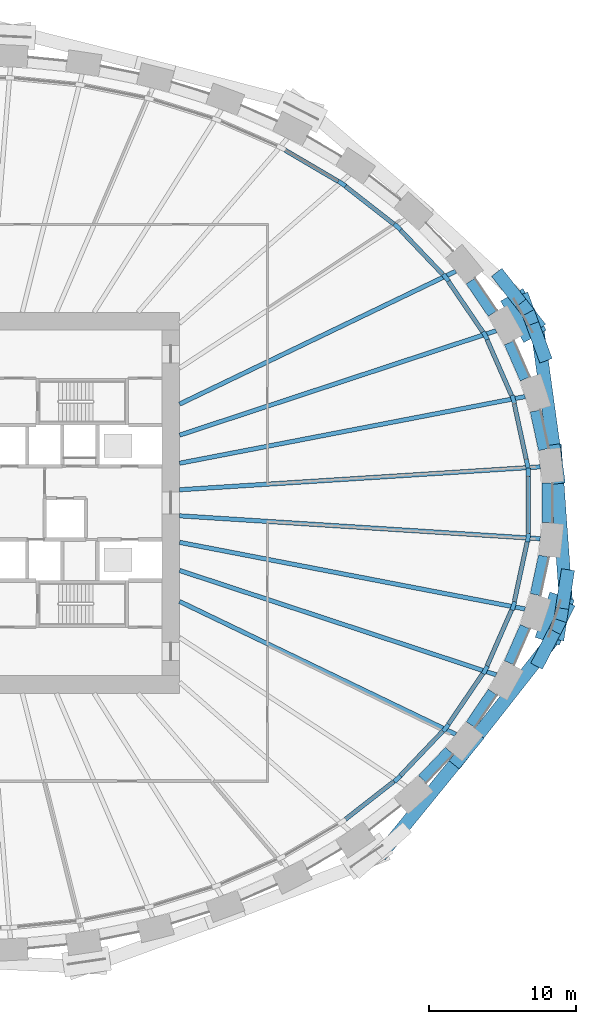
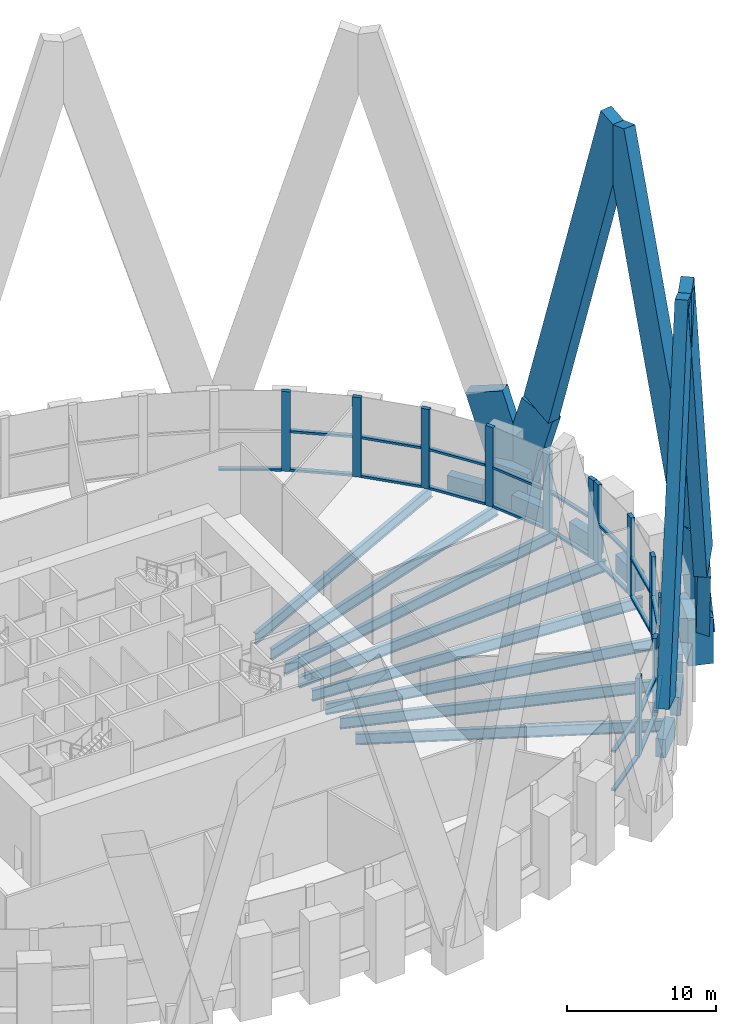
# One storey, part 5 of 17: 45 members, 16 beams, 2 elements without a shape of their own.
"""IFC4 building model written with IfcOpenShell, lengths in metres."""

from ifc_helpers import new_model, si_unit, direction, frame, origin, origin_2d, place, context, subcontext, project, spatial, rectangle, i_section, extrude, source, transform, mapped, material, material_profile, profile_set, type_object, element, aggregate, save


model = new_model("IFC4")

# Units and contexts
model_context = context("Model", 3, precision=1e-05, world=origin(), true_north=direction((0.0, 1.0)))
body_context = subcontext(model_context, "Body", "Model", "MODEL_VIEW")
ifc_project = project(units=[si_unit("LENGTHUNIT", "METRE"), si_unit("AREAUNIT", "SQUARE_METRE"), si_unit("VOLUMEUNIT", "CUBIC_METRE"), si_unit("PLANEANGLEUNIT", "RADIAN"), si_unit("MASSUNIT", "GRAM", prefix="KILO")], contexts=[model_context])

# Site, building, storey
site_placement = place(None, origin())
site = spatial("IfcSite", under=ifc_project, at=site_placement, CompositionType="ELEMENT")
building_placement = place(site_placement, origin())
building = spatial("IfcBuilding", under=site, at=building_placement, Name="Embergate Tower", CompositionType="ELEMENT")
storey_placement = place(building_placement, frame((0.0, 0.0, 125.0)))
storey = spatial("IfcBuildingStorey", under=building, at=storey_placement, Name="L27", CompositionType="ELEMENT", Elevation=125.0)

# Beams
ifc_material_1 = material(Name="Concrete C70", Category="concrete")
ifc_material_profile_1 = material_profile(ifc_material_1, rectangle(XDim=0.699951171875, YDim=1.5, at=origin_2d()), Name="RC 700x1500")
ifc_profile_set_1 = profile_set([ifc_material_profile_1], Name="Concrete C70")
beam_type_1 = type_object("IfcBeamType", Name="Spandrel beam RC 700x1500 C70", PredefinedType="BEAM", material=ifc_profile_set_1)
shared_shape_1 = source(origin(), body_context, "Body", "SweptSolid", [
    extrude(rectangle(XDim=0.699951171875, YDim=1.5, at=origin_2d()), origin(), (0.0, 0.0, 1.0), 2.6923828125),
])
for number, where, z_axis, x_axis, name in (
    (1, (38.843017578125, 3.634033203125, 0.0), (-0.210637397384, 0.977564262247, 0.0), (-0.977564262247, -0.210637397384, 0.0), "SPN-L27-00"),
    (2, (38.27587890625, -6.26611328125, 0.0), (0.210637397384, 0.977564262247, 0.0), (-0.977564262247, 0.210637397384, 0.0), "SPN-L27-42"),
):
    element("IfcBeam", number, at=place(storey_placement, frame(where, z_axis=z_axis, x_axis=x_axis)), inside=storey, type_object=beam_type_1, Name=name, PredefinedType="BEAM", context=body_context, shape_type="MappedRepresentation", body=[
        mapped(shared_shape_1, transform((0.0, 0.0, 0.0))),
    ])
shared_shape_2 = source(origin(), body_context, "Body", "SweptSolid", [
    extrude(rectangle(XDim=0.699951171875, YDim=1.5, at=origin_2d()), origin(), (0.0, 0.0, 1.0), 2.689208984375),
])
for number, where, z_axis, x_axis, name in (
    (3, (37.569091796875, 8.4541015625, 0.0), (-0.401618751738, 0.915806954687, 0.0), (-0.915806954687, -0.401618751738, 0.0), "SPN-L27-01"),
    (4, (36.489013671875, -10.9169921875, 0.0), (0.401618751738, 0.915806954687, 0.0), (-0.915806954687, 0.401618751738, 0.0), "SPN-L27-41"),
):
    element("IfcBeam", number, at=place(storey_placement, frame(where, z_axis=z_axis, x_axis=x_axis)), inside=storey, type_object=beam_type_1, Name=name, PredefinedType="BEAM", context=body_context, shape_type="MappedRepresentation", body=[
        mapped(shared_shape_2, transform((0.0, 0.0, 0.0))),
    ])
shared_shape_3 = source(origin(), body_context, "Body", "SweptSolid", [
    extrude(rectangle(XDim=0.699951171875, YDim=1.5, at=origin_2d()), origin(), (0.0, 0.0, 1.0), 2.678466796875),
])
for number, where, z_axis, x_axis, name in (
    (5, (35.35791015625, 12.9189453125, 0.0), (-0.562207798454, 0.826996004438, 0.0), (-0.826996004438, -0.562207798454, 0.0), "SPN-L27-02"),
    (6, (33.85205078125, -15.134033203125, 0.0), (0.562207798454, 0.826996004438, 0.0), (-0.826996004438, 0.562207798454, 0.0), "SPN-L27-40"),
):
    element("IfcBeam", number, at=place(storey_placement, frame(where, z_axis=z_axis, x_axis=x_axis)), inside=storey, type_object=beam_type_1, Name=name, PredefinedType="BEAM", context=body_context, shape_type="MappedRepresentation", body=[
        mapped(shared_shape_3, transform((0.0, 0.0, 0.0))),
    ])
shared_shape_4 = source(origin(), body_context, "Body", "SweptSolid", [
    extrude(rectangle(XDim=0.699951171875, YDim=1.5, at=origin_2d()), origin(), (0.0, 0.0, 1.0), 2.673583984375),
])
beam_1_placement = place(storey_placement, frame((30.56103515625, -18.85791015625, 0.0), z_axis=(0.690104255292, 0.72370996734, 0.0), x_axis=(-0.72370996734, 0.690104255292, 0.0)))
element("IfcBeam", 7, at=beam_1_placement, inside=storey, type_object=beam_type_1, Name="SPN-L27-39", PredefinedType="BEAM", context=body_context, shape_type="MappedRepresentation", body=[
    mapped(shared_shape_4, transform((0.0, 0.0, 0.0))),
])
shared_shape_5 = source(origin(), body_context, "Body", "SweptSolid", [
    extrude(rectangle(XDim=0.699951171875, YDim=1.5, at=origin_2d()), origin(), (0.0, 0.0, 1.0), 2.69384765625),
])
beam_2_placement = place(storey_placement, frame((39.0859375, -1.346923828125, 0.0), z_axis=(0.0, 1.0, 0.0), x_axis=(-1.0, 0.0, 0.0)))
element("IfcBeam", 8, at=beam_2_placement, inside=storey, type_object=beam_type_1, Name="SPN-L27-43", PredefinedType="BEAM", context=body_context, shape_type="MappedRepresentation", body=[
    mapped(shared_shape_5, transform((0.0, 0.0, 0.0))),
])
ifc_material_2 = material(Name="Steel Q355B", Category="steel")
ifc_material_profile_2 = material_profile(ifc_material_2, i_section(OverallWidth=0.300048828125, OverallDepth=0.89990234375, WebThickness=0.01611328125, FlangeThickness=0.028076171875, FilletRadius=0.028076171875, at=origin_2d()), Name="HN 900x300x16x28")
ifc_profile_set_2 = profile_set([ifc_material_profile_2], Name="Steel Q355 grade B")
beam_type_2 = type_object("IfcBeamType", Name="Radial girder HN 900x300x16x28", PredefinedType="BEAM", material=ifc_profile_set_2)
shared_shape_6 = source(origin(), body_context, "Body", "SweptSolid", [
    extrude(i_section(OverallWidth=0.300048828125, OverallDepth=0.89990234375, WebThickness=0.01611328125, FlangeThickness=0.028076171875, FilletRadius=0.028076171875, at=origin_2d()), origin(), (0.0, 0.0, 1.0), 24.66552734375),
])
for number, where, z_axis, x_axis, name in (
    (9, (38.615966796875, 2.452880859375, -0.75), (-0.997987769209, -0.063406722897, 0.0), (0.063406722897, -0.997987769209, 0.0), "GIR-L27-00"),
    (10, (38.615966796875, -2.452880859375, -0.75), (-0.997987769209, 0.063406722897, 0.0), (-0.063406722897, -0.997987769209, 0.0), "GIR-L27-43"),
):
    element("IfcBeam", number, at=place(storey_placement, frame(where, z_axis=z_axis, x_axis=x_axis)), inside=storey, type_object=beam_type_2, Name=name, PredefinedType="BEAM", context=body_context, shape_type="MappedRepresentation", body=[
        mapped(shared_shape_6, transform((0.0, 0.0, 0.0))),
    ])
shared_shape_7 = source(origin(), body_context, "Body", "SweptSolid", [
    extrude(i_section(OverallWidth=0.300048828125, OverallDepth=0.89990234375, WebThickness=0.01611328125, FlangeThickness=0.028076171875, FilletRadius=0.028076171875, at=origin_2d()), origin(), (0.0, 0.0, 1.0), 24.018798828125),
])
for number, where, z_axis, x_axis, name in (
    (11, (37.583984375, 7.25, -0.75), (-0.981893025148, -0.18943623509, 0.0), (0.18943623509, -0.981893025148, 0.0), "GIR-L27-01"),
    (12, (37.583984375, -7.25, -0.75), (-0.981893025148, 0.18943623509, 0.0), (-0.18943623509, -0.981893025148, 0.0), "GIR-L27-42"),
):
    element("IfcBeam", number, at=place(storey_placement, frame(where, z_axis=z_axis, x_axis=x_axis)), inside=storey, type_object=beam_type_2, Name=name, PredefinedType="BEAM", context=body_context, shape_type="MappedRepresentation", body=[
        mapped(shared_shape_7, transform((0.0, 0.0, 0.0))),
    ])
shared_shape_8 = source(origin(), body_context, "Body", "SweptSolid", [
    extrude(i_section(OverallWidth=0.300048828125, OverallDepth=0.89990234375, WebThickness=0.01611328125, FlangeThickness=0.028076171875, FilletRadius=0.028076171875, at=origin_2d()), origin(), (0.0, 0.0, 1.0), 22.758056640625),
])
for number, where, z_axis, x_axis, name in (
    (13, (35.613037109375, 11.7451171875, -0.75), (-0.949682619366, -0.313213860603, 0.0), (0.313213860603, -0.949682619366, 0.0), "GIR-L27-02"),
    (14, (35.613037109375, -11.7451171875, -0.75), (-0.949682619366, 0.313213860603, 0.0), (-0.313213860603, -0.949682619366, 0.0), "GIR-L27-41"),
):
    element("IfcBeam", number, at=place(storey_placement, frame(where, z_axis=z_axis, x_axis=x_axis)), inside=storey, type_object=beam_type_2, Name=name, PredefinedType="BEAM", context=body_context, shape_type="MappedRepresentation", body=[
        mapped(shared_shape_8, transform((0.0, 0.0, 0.0))),
    ])
shared_shape_9 = source(origin(), body_context, "Body", "SweptSolid", [
    extrude(i_section(OverallWidth=0.300048828125, OverallDepth=0.89990234375, WebThickness=0.01611328125, FlangeThickness=0.028076171875, FilletRadius=0.028076171875, at=origin_2d()), origin(), (0.0, 0.0, 1.0), 20.919921875),
])
for number, where, z_axis, x_axis, name in (
    (15, (32.85205078125, 15.803955078125, -0.75), (-0.901152314796, -0.433502601536, 0.0), (0.433502601536, -0.901152314796, 0.0), "GIR-L27-03"),
    (16, (32.85205078125, -15.803955078125, -0.75), (-0.901152314796, 0.433502601536, 0.0), (-0.433502601536, -0.901152314796, 0.0), "GIR-L27-40"),
):
    element("IfcBeam", number, at=place(storey_placement, frame(where, z_axis=z_axis, x_axis=x_axis)), inside=storey, type_object=beam_type_2, Name=name, PredefinedType="BEAM", context=body_context, shape_type="MappedRepresentation", body=[
        mapped(shared_shape_9, transform((0.0, 0.0, 0.0))),
    ])

# Members
ifc_material_profile_3 = material_profile(ifc_material_1, rectangle(XDim=1.75, YDim=3.25, at=origin_2d()), Name="RC 1750x3250")
ifc_profile_set_3 = profile_set([ifc_material_profile_3], Name="Concrete C70")
member_type_1 = type_object("IfcMemberType", Name="Lattice node block RC 1750x3250", PredefinedType="POST", material=ifc_profile_set_3)
shared_shape_10 = source(origin(), body_context, "Body", "SweptSolid", [
    extrude(rectangle(XDim=1.75, YDim=3.25, at=origin_2d()), origin(), (0.0, 0.0, 1.0), 3.75),
])
for number, where, z_axis, x_axis, name in (
    (17, (37.468994140625, 12.779052734375, -1.875), (0.0, 0.0, 1.0), (0.873491969053, 0.486838556403, 0.0), "NOD-L27-02"),
    (18, (39.60498046875, -7.908935546875, -1.875), (0.0, 0.0, 1.0), (0.950754033697, -0.309946394413, 0.0), "NOD-L27-42"),
):
    element("IfcMember", number, at=place(storey_placement, frame(where, z_axis=z_axis, x_axis=x_axis)), inside=storey, type_object=member_type_1, Name=name, PredefinedType="POST", context=body_context, shape_type="MappedRepresentation", body=[
        mapped(shared_shape_10, transform((0.0, 0.0, 0.0))),
    ])
ifc_material_profile_4 = material_profile(ifc_material_1, rectangle(XDim=0.89990234375, YDim=2.800048828125, at=origin_2d()), Name="RC 900x2800")
ifc_profile_set_4 = profile_set([ifc_material_profile_4], Name="Concrete C70")
member_type_2 = type_object("IfcMemberType", Name="Lattice diagonal terracotta-faced RC 900x2800", PredefinedType="BRACE", material=ifc_profile_set_4)
shared_shape_11 = source(origin(), body_context, "Body", "SweptSolid", [
    extrude(rectangle(XDim=0.89990234375, YDim=2.800048828125, at=origin_2d()), origin(), (0.0, 0.0, 1.0), 7.323486328125),
])
member_1_placement = place(storey_placement, frame((37.806884765625, 12.968017578125, 0.0), z_axis=(0.101477457902, -0.275829332025, 0.955834977981), x_axis=(0.938501816776, 0.345274296624, 0.0)))
element("IfcMember", 19, at=member_1_placement, inside=storey, type_object=member_type_2, Name="BRC-L27-02-00-S00", PredefinedType="BRACE", context=body_context, shape_type="MappedRepresentation", body=[
    mapped(shared_shape_11, transform((0.0, 0.0, 0.0))),
])
shared_shape_12 = source(origin(), body_context, "Body", "SweptSolid", [
    extrude(rectangle(XDim=0.89990234375, YDim=2.800048828125, at=origin_2d()), origin(), (0.0, 0.0, 1.0), 29.134033203125),
])
member_2_placement = place(storey_placement, frame((38.550048828125, 10.947998046875, 7.0), z_axis=(0.039435725058, -0.28526794569, 0.957636164078), x_axis=(0.990579523484, 0.136938700356, 0.0)))
element("IfcMember", 20, at=member_2_placement, inside=storey, type_object=member_type_2, Name="BRC-L27-02-00-S01", PredefinedType="BRACE", context=body_context, shape_type="MappedRepresentation", body=[
    mapped(shared_shape_12, transform((0.0, 0.0, 0.0))),
])
shared_shape_13 = source(origin(), body_context, "Body", "SweptSolid", [
    extrude(rectangle(XDim=0.89990234375, YDim=2.800048828125, at=origin_2d()), origin(), (0.0, 0.0, 1.0), 7.32861328125),
])
for number, where, z_axis, x_axis, name in (
    (21, (37.806884765625, 12.968017578125, 0.0), (-0.182290417254, 0.233326403955, 0.955159145376), (-0.788017550775, -0.615652775248, 0.0), "BRC-L27-02-04-S00"),
    (22, (39.98388671875, -8.031982421875, 0.0), (0.044773051847, 0.292690501138, 0.955158439408), (-0.988501403917, 0.151211687556, 0.0), "BRC-L27-42-00-S00"),
):
    element("IfcMember", number, at=place(storey_placement, frame(where, z_axis=z_axis, x_axis=x_axis)), inside=storey, type_object=member_type_2, Name=name, PredefinedType="BRACE", context=body_context, shape_type="MappedRepresentation", body=[
        mapped(shared_shape_13, transform((0.0, 0.0, 0.0))),
    ])
shared_shape_14 = source(origin(), body_context, "Body", "SweptSolid", [
    extrude(rectangle(XDim=0.89990234375, YDim=2.800048828125, at=origin_2d()), origin(), (0.0, 0.0, 1.0), 29.024169921875),
])
member_3_placement = place(storey_placement, frame((28.5380859375, -23.0439453125, 7.0), z_axis=(0.173985919265, 0.213781286894, 0.961262951159), x_axis=(-0.775601265893, 0.631223158911, 0.0)))
element("IfcMember", 23, at=member_3_placement, inside=storey, type_object=member_type_2, Name="BRC-L27-38-40-S01", PredefinedType="BRACE", context=body_context, shape_type="MappedRepresentation", body=[
    mapped(shared_shape_14, transform((0.0, 0.0, 0.0))),
])
shared_shape_15 = source(origin(), body_context, "Body", "SweptSolid", [
    extrude(rectangle(XDim=0.89990234375, YDim=2.800048828125, at=origin_2d()), origin(), (0.0, 0.0, 1.0), 29.179443359375),
])
member_4_placement = place(storey_placement, frame((40.31201171875, -5.886962890625, 7.0), z_axis=(-0.021009239545, 0.292121302061, 0.95615048854), x_axis=(-0.997423777145, -0.07173429296, 0.0)))
element("IfcMember", 24, at=member_4_placement, inside=storey, type_object=member_type_2, Name="BRC-L27-42-00-S01", PredefinedType="BRACE", context=body_context, shape_type="MappedRepresentation", body=[
    mapped(shared_shape_15, transform((0.0, 0.0, 0.0))),
])
shared_shape_16 = source(origin(), body_context, "Body", "SweptSolid", [
    extrude(rectangle(XDim=0.89990234375, YDim=2.800048828125, at=origin_2d()), origin(), (0.0, 0.0, 1.0), 7.331298828125),
])
member_5_placement = place(storey_placement, frame((39.98388671875, -8.031982421875, 0.0), z_axis=(-0.136667354599, -0.263943823722, 0.954806625504), x_axis=(0.888018917367, -0.459806918606, 0.0)))
element("IfcMember", 25, at=member_5_placement, inside=storey, type_object=member_type_2, Name="BRC-L27-42-40-S00", PredefinedType="BRACE", context=body_context, shape_type="MappedRepresentation", body=[
    mapped(shared_shape_16, transform((0.0, 0.0, 0.0))),
])
shared_shape_17 = source(origin(), body_context, "Body", "SweptSolid", [
    extrude(rectangle(XDim=0.89990234375, YDim=2.800048828125, at=origin_2d()), origin(), (0.0, 0.0, 1.0), 29.235595703125),
])
member_6_placement = place(storey_placement, frame((38.98193359375, -9.967041015625, 7.0), z_axis=(-0.184501986138, -0.235057567928, 0.954309675562), x_axis=(0.786620800626, -0.61743640646, 0.0)))
element("IfcMember", 26, at=member_6_placement, inside=storey, type_object=member_type_2, Name="BRC-L27-42-40-S01", PredefinedType="BRACE", context=body_context, shape_type="MappedRepresentation", body=[
    mapped(shared_shape_17, transform((0.0, 0.0, 0.0))),
])

# Curtain wall, members
ifc_material_3 = material(Name="Aluminium and glass", Category="aluminium")
curtain_wall_type = type_object("IfcCurtainWallType", Name="Sky lobby high glazing", PredefinedType="NOTDEFINED", material=ifc_material_3)
curtain_wall_1_placement = place(storey_placement, origin())
curtain_wall_1 = element("IfcCurtainWall", 27, at=curtain_wall_1_placement, inside=storey, type_object=curtain_wall_type, Name="Sky lobby high glazing run 1", ObjectType="SKY LOBBY HIGH GLAZING", PredefinedType="USERDEFINED")
ifc_material_4 = material(Name="Aluminium, thermally broken", Category="aluminium")
ifc_material_profile_5 = material_profile(ifc_material_4, rectangle(XDim=0.300048828125, YDim=0.60009765625, at=origin_2d()), Name="AL 600x300")
ifc_profile_set_5 = profile_set([ifc_material_profile_5], Name="Aluminium, thermally broken")
member_type_3 = type_object("IfcMemberType", Name="Sky lobby mullion", PredefinedType="MULLION", material=ifc_profile_set_5)
shared_shape_18 = source(origin(), body_context, "Body", "SweptSolid", [
    extrude(rectangle(XDim=0.300048828125, YDim=0.60009765625, at=origin_2d()), origin(), (0.0, 0.0, 1.0), 6.5),
])
member_7_placement = place(storey_placement, frame((37.725341796875, 2.674072265625, 0.0), z_axis=(0.0, 0.0, 1.0), x_axis=(-0.977614996305, -0.210401803698, 0.0)))
member_7 = element("IfcMember", 28, at=member_7_placement, type_object=member_type_3, Name="CW mullion 1", PredefinedType="MULLION", context=body_context, shape_type="MappedRepresentation", body=[
    mapped(shared_shape_18, transform((0.0, 0.0, 0.0))),
])
member_8_placement = place(storey_placement, frame((36.785888671875, 7.0390625, 0.0), z_axis=(0.0, 0.0, 1.0), x_axis=(-0.9514940392, -0.307667179542, 0.0)))
member_8 = element("IfcMember", 29, at=member_8_placement, type_object=member_type_3, Name="CW mullion 2", PredefinedType="MULLION", context=body_context, shape_type="MappedRepresentation", body=[
    mapped(shared_shape_18, transform((0.0, 0.0, 0.0))),
])
member_9_placement = place(storey_placement, frame((34.868896484375, 11.40966796875, 0.0), z_axis=(0.0, 0.0, 1.0), x_axis=(-0.874995136163, -0.484131709032, 0.0)))
member_9 = element("IfcMember", 30, at=member_9_placement, type_object=member_type_3, Name="CW mullion 3", PredefinedType="MULLION", context=body_context, shape_type="MappedRepresentation", body=[
    mapped(shared_shape_18, transform((0.0, 0.0, 0.0))),
])
member_10_placement = place(storey_placement, frame((32.179443359375, 15.364501953125, 0.0), z_axis=(0.0, 0.0, 1.0), x_axis=(-0.777863789852, -0.628432911643, 0.0)))
member_10 = element("IfcMember", 31, at=member_10_placement, type_object=member_type_3, Name="CW mullion 4", PredefinedType="MULLION", context=body_context, shape_type="MappedRepresentation", body=[
    mapped(shared_shape_18, transform((0.0, 0.0, 0.0))),
])
member_11_placement = place(storey_placement, frame((28.871826171875, 18.832763671875, 0.0), z_axis=(0.0, 0.0, 1.0), x_axis=(-0.671218771544, -0.741259307346, 0.0)))
member_11 = element("IfcMember", 32, at=member_11_placement, type_object=member_type_3, Name="CW mullion 5", PredefinedType="MULLION", context=body_context, shape_type="MappedRepresentation", body=[
    mapped(shared_shape_18, transform((0.0, 0.0, 0.0))),
])
member_12_placement = place(storey_placement, frame((25.087158203125, 21.78662109375, 0.0), z_axis=(0.0, 0.0, 1.0), x_axis=(-0.562208958301, -0.826995215951, 0.0)))
member_12 = element("IfcMember", 33, at=member_12_placement, type_object=member_type_3, Name="CW mullion 6", PredefinedType="MULLION", context=body_context, shape_type="MappedRepresentation", body=[
    mapped(shared_shape_18, transform((0.0, 0.0, 0.0))),
])

curtain_wall_2_placement = place(storey_placement, origin())
curtain_wall_2 = element("IfcCurtainWall", 34, at=curtain_wall_2_placement, inside=storey, type_object=curtain_wall_type, Name="Sky lobby high glazing run 4", ObjectType="SKY LOBBY HIGH GLAZING", PredefinedType="USERDEFINED")
member_13_placement = place(storey_placement, frame((28.871826171875, -18.832763671875, 0.0), z_axis=(0.0, 0.0, 1.0), x_axis=(-0.671218771544, 0.741259307346, 0.0)))
member_13 = element("IfcMember", 35, at=member_13_placement, type_object=member_type_3, Name="CW mullion 7", PredefinedType="MULLION", context=body_context, shape_type="MappedRepresentation", body=[
    mapped(shared_shape_18, transform((0.0, 0.0, 0.0))),
])
member_14_placement = place(storey_placement, frame((32.179443359375, -15.364501953125, 0.0), z_axis=(0.0, 0.0, 1.0), x_axis=(-0.777863789852, 0.628432911643, 0.0)))
member_14 = element("IfcMember", 36, at=member_14_placement, type_object=member_type_3, Name="CW mullion 8", PredefinedType="MULLION", context=body_context, shape_type="MappedRepresentation", body=[
    mapped(shared_shape_18, transform((0.0, 0.0, 0.0))),
])
member_15_placement = place(storey_placement, frame((34.868896484375, -11.40966796875, 0.0), z_axis=(0.0, 0.0, 1.0), x_axis=(-0.874995136163, 0.484131709032, 0.0)))
member_15 = element("IfcMember", 37, at=member_15_placement, type_object=member_type_3, Name="CW mullion 9", PredefinedType="MULLION", context=body_context, shape_type="MappedRepresentation", body=[
    mapped(shared_shape_18, transform((0.0, 0.0, 0.0))),
])
member_16_placement = place(storey_placement, frame((36.785888671875, -7.0390625, 0.0), z_axis=(0.0, 0.0, 1.0), x_axis=(-0.9514940392, 0.307667179542, 0.0)))
member_16 = element("IfcMember", 38, at=member_16_placement, type_object=member_type_3, Name="CW mullion 10", PredefinedType="MULLION", context=body_context, shape_type="MappedRepresentation", body=[
    mapped(shared_shape_18, transform((0.0, 0.0, 0.0))),
])
member_17_placement = place(storey_placement, frame((37.788330078125, -2.380859375, 0.0), z_axis=(0.0, 0.0, 1.0), x_axis=(-0.994384400633, 0.105828463931, 0.0)))
member_17 = element("IfcMember", 39, at=member_17_placement, type_object=member_type_3, Name="CW mullion 11", PredefinedType="MULLION", context=body_context, shape_type="MappedRepresentation", body=[
    mapped(shared_shape_18, transform((0.0, 0.0, 0.0))),
])
member_18_placement = place(storey_placement, frame((37.788330078125, 2.080810546875, 0.0), z_axis=(0.0, 0.0, 1.0), x_axis=(-1.0, 0.0, 0.0)))
member_18 = element("IfcMember", 40, at=member_18_placement, type_object=member_type_3, Name="CW mullion 12", PredefinedType="MULLION", context=body_context, shape_type="MappedRepresentation", body=[
    mapped(shared_shape_18, transform((0.0, 0.0, 0.0))),
])

# Member
ifc_material_profile_6 = material_profile(ifc_material_4, rectangle(XDim=0.300048828125, YDim=0.179931640625, at=origin_2d()), Name="AL 180x300")
ifc_profile_set_6 = profile_set([ifc_material_profile_6], Name="Aluminium, thermally broken")
member_type_4 = type_object("IfcMemberType", Name="Sky lobby transom", PredefinedType="USERDEFINED", material=ifc_profile_set_6)
shared_shape_19 = source(origin(), body_context, "Body", "SweptSolid", [
    extrude(rectangle(XDim=0.300048828125, YDim=0.179931640625, at=origin_2d()), origin(), (0.0, 0.0, 1.0), 3.86474609375),
])
member_19_placement = place(storey_placement, frame((37.662109375, 2.96728515625, 0.090087890625), z_axis=(-0.210357315706, 0.977624569929, 0.0), x_axis=(-0.977624569929, -0.210357315706, 0.0)))
member_19 = element("IfcMember", 41, at=member_19_placement, type_object=member_type_4, Name="CW transom 1.1", ObjectType="TRANSOM", PredefinedType="USERDEFINED", context=body_context, shape_type="MappedRepresentation", body=[
    mapped(shared_shape_19, transform((0.0, 0.0, 0.0))),
])

member_20_placement = place(storey_placement, frame((37.662109375, 2.96728515625, 3.25), z_axis=(-0.210357315706, 0.977624569929, 0.0), x_axis=(-0.977624569929, -0.210357315706, 0.0)))
member_20 = element("IfcMember", 42, at=member_20_placement, type_object=member_type_4, Name="CW transom 1.2", ObjectType="TRANSOM", PredefinedType="USERDEFINED", context=body_context, shape_type="MappedRepresentation", body=[
    mapped(shared_shape_19, transform((0.0, 0.0, 0.0))),
])

shared_shape_20 = source(origin(), body_context, "Body", "SweptSolid", [
    extrude(rectangle(XDim=0.300048828125, YDim=0.179931640625, at=origin_2d()), origin(), (0.0, 0.0, 1.0), 4.172607421875),
])
member_21_placement = place(storey_placement, frame((36.665283203125, 7.313720703125, 0.090087890625), z_axis=(-0.401616728109, 0.915807842128, 0.0), x_axis=(-0.915807842128, -0.401616728109, 0.0)))
member_21 = element("IfcMember", 43, at=member_21_placement, type_object=member_type_4, Name="CW transom 2.1", ObjectType="TRANSOM", PredefinedType="USERDEFINED", context=body_context, shape_type="MappedRepresentation", body=[
    mapped(shared_shape_20, transform((0.0, 0.0, 0.0))),
])

member_22_placement = place(storey_placement, frame((36.665283203125, 7.313720703125, 3.25), z_axis=(-0.401616728109, 0.915807842128, 0.0), x_axis=(-0.915807842128, -0.401616728109, 0.0)))
member_22 = element("IfcMember", 44, at=member_22_placement, type_object=member_type_4, Name="CW transom 2.2", ObjectType="TRANSOM", PredefinedType="USERDEFINED", context=body_context, shape_type="MappedRepresentation", body=[
    mapped(shared_shape_20, transform((0.0, 0.0, 0.0))),
])

member_23_placement = place(storey_placement, frame((34.989501953125, -11.135009765625, 0.090087890625), z_axis=(0.401616728109, 0.915807842128, 0.0), x_axis=(-0.915807842128, 0.401616728109, 0.0)))
member_23 = element("IfcMember", 45, at=member_23_placement, type_object=member_type_4, Name="CW transom 9.1", ObjectType="TRANSOM", PredefinedType="USERDEFINED", context=body_context, shape_type="MappedRepresentation", body=[
    mapped(shared_shape_20, transform((0.0, 0.0, 0.0))),
])

member_24_placement = place(storey_placement, frame((34.989501953125, -11.135009765625, 3.25), z_axis=(0.401616728109, 0.915807842128, 0.0), x_axis=(-0.915807842128, 0.401616728109, 0.0)))
member_24 = element("IfcMember", 46, at=member_24_placement, type_object=member_type_4, Name="CW transom 9.2", ObjectType="TRANSOM", PredefinedType="USERDEFINED", context=body_context, shape_type="MappedRepresentation", body=[
    mapped(shared_shape_20, transform((0.0, 0.0, 0.0))),
])

shared_shape_21 = source(origin(), body_context, "Body", "SweptSolid", [
    extrude(rectangle(XDim=0.300048828125, YDim=0.179931640625, at=origin_2d()), origin(), (0.0, 0.0, 1.0), 4.1826171875),
])
member_25_placement = place(storey_placement, frame((34.7001953125, 11.65771484375, 0.090087890625), z_axis=(-0.562327583089, 0.826914559853, 0.0), x_axis=(-0.826914559853, -0.562327583089, 0.0)))
member_25 = element("IfcMember", 47, at=member_25_placement, type_object=member_type_4, Name="CW transom 3.1", ObjectType="TRANSOM", PredefinedType="USERDEFINED", context=body_context, shape_type="MappedRepresentation", body=[
    mapped(shared_shape_21, transform((0.0, 0.0, 0.0))),
])

member_26_placement = place(storey_placement, frame((34.7001953125, 11.65771484375, 3.25), z_axis=(-0.562327583089, 0.826914559853, 0.0), x_axis=(-0.826914559853, -0.562327583089, 0.0)))
member_26 = element("IfcMember", 48, at=member_26_placement, type_object=member_type_4, Name="CW transom 3.2", ObjectType="TRANSOM", PredefinedType="USERDEFINED", context=body_context, shape_type="MappedRepresentation", body=[
    mapped(shared_shape_21, transform((0.0, 0.0, 0.0))),
])

member_27_placement = place(storey_placement, frame((32.34814453125, -15.116455078125, 0.090087890625), z_axis=(0.562327583089, 0.826914559853, 0.0), x_axis=(-0.826914559853, 0.562327583089, 0.0)))
member_27 = element("IfcMember", 49, at=member_27_placement, type_object=member_type_4, Name="CW transom 8.1", ObjectType="TRANSOM", PredefinedType="USERDEFINED", context=body_context, shape_type="MappedRepresentation", body=[
    mapped(shared_shape_21, transform((0.0, 0.0, 0.0))),
])

member_28_placement = place(storey_placement, frame((32.34814453125, -15.116455078125, 3.25), z_axis=(0.562327583089, 0.826914559853, 0.0), x_axis=(-0.826914559853, 0.562327583089, 0.0)))
member_28 = element("IfcMember", 50, at=member_28_placement, type_object=member_type_4, Name="CW transom 8.2", ObjectType="TRANSOM", PredefinedType="USERDEFINED", context=body_context, shape_type="MappedRepresentation", body=[
    mapped(shared_shape_21, transform((0.0, 0.0, 0.0))),
])

shared_shape_22 = source(origin(), body_context, "Body", "SweptSolid", [
    extrude(rectangle(XDim=0.300048828125, YDim=0.179931640625, at=origin_2d()), origin(), (0.0, 0.0, 1.0), 4.192626953125),
])
member_29_placement = place(storey_placement, frame((31.972412109375, 15.58154296875, 0.090087890625), z_axis=(-0.690137750546, 0.723678025969, 0.0), x_axis=(-0.723678025969, -0.690137750546, 0.0)))
member_29 = element("IfcMember", 51, at=member_29_placement, type_object=member_type_4, Name="CW transom 4.1", ObjectType="TRANSOM", PredefinedType="USERDEFINED", context=body_context, shape_type="MappedRepresentation", body=[
    mapped(shared_shape_22, transform((0.0, 0.0, 0.0))),
])

member_30_placement = place(storey_placement, frame((31.972412109375, 15.58154296875, 3.25), z_axis=(-0.690137750546, 0.723678025969, 0.0), x_axis=(-0.723678025969, -0.690137750546, 0.0)))
member_30 = element("IfcMember", 52, at=member_30_placement, type_object=member_type_4, Name="CW transom 4.2", ObjectType="TRANSOM", PredefinedType="USERDEFINED", context=body_context, shape_type="MappedRepresentation", body=[
    mapped(shared_shape_22, transform((0.0, 0.0, 0.0))),
])

member_31_placement = place(storey_placement, frame((29.078857421875, -18.61572265625, 0.090087890625), z_axis=(0.690137750546, 0.723678025969, 0.0), x_axis=(-0.723678025969, 0.690137750546, 0.0)))
member_31 = element("IfcMember", 53, at=member_31_placement, type_object=member_type_4, Name="CW transom 7.1", ObjectType="TRANSOM", PredefinedType="USERDEFINED", context=body_context, shape_type="MappedRepresentation", body=[
    mapped(shared_shape_22, transform((0.0, 0.0, 0.0))),
])

member_32_placement = place(storey_placement, frame((29.078857421875, -18.61572265625, 3.25), z_axis=(0.690137750546, 0.723678025969, 0.0), x_axis=(-0.723678025969, 0.690137750546, 0.0)))
member_32 = element("IfcMember", 54, at=member_32_placement, type_object=member_type_4, Name="CW transom 7.2", ObjectType="TRANSOM", PredefinedType="USERDEFINED", context=body_context, shape_type="MappedRepresentation", body=[
    mapped(shared_shape_22, transform((0.0, 0.0, 0.0))),
])

shared_shape_23 = source(origin(), body_context, "Body", "SweptSolid", [
    extrude(rectangle(XDim=0.300048828125, YDim=0.179931640625, at=origin_2d()), origin(), (0.0, 0.0, 1.0), 4.201171875),
])
member_33_placement = place(storey_placement, frame((28.635498046875, 19.017333984375, 0.090087890625), z_axis=(-0.78834671824, 0.615231218193, 0.0), x_axis=(-0.615231218193, -0.78834671824, 0.0)))
member_33 = element("IfcMember", 55, at=member_33_placement, type_object=member_type_4, Name="CW transom 5.1", ObjectType="TRANSOM", PredefinedType="USERDEFINED", context=body_context, shape_type="MappedRepresentation", body=[
    mapped(shared_shape_23, transform((0.0, 0.0, 0.0))),
])

member_34_placement = place(storey_placement, frame((28.635498046875, 19.017333984375, 3.25), z_axis=(-0.78834671824, 0.615231218193, 0.0), x_axis=(-0.615231218193, -0.78834671824, 0.0)))
member_34 = element("IfcMember", 56, at=member_34_placement, type_object=member_type_4, Name="CW transom 5.2", ObjectType="TRANSOM", PredefinedType="USERDEFINED", context=body_context, shape_type="MappedRepresentation", body=[
    mapped(shared_shape_23, transform((0.0, 0.0, 0.0))),
])

member_35_placement = place(storey_placement, frame((25.323486328125, -21.60205078125, 0.090087890625), z_axis=(0.78834671824, 0.615231218193, 0.0), x_axis=(-0.615231218193, 0.78834671824, 0.0)))
member_35 = element("IfcMember", 57, at=member_35_placement, type_object=member_type_4, Name="CW transom 6.1", ObjectType="TRANSOM", PredefinedType="USERDEFINED", context=body_context, shape_type="MappedRepresentation", body=[
    mapped(shared_shape_23, transform((0.0, 0.0, 0.0))),
])

member_36_placement = place(storey_placement, frame((25.323486328125, -21.60205078125, 3.25), z_axis=(0.78834671824, 0.615231218193, 0.0), x_axis=(-0.615231218193, 0.78834671824, 0.0)))
member_36 = element("IfcMember", 58, at=member_36_placement, type_object=member_type_4, Name="CW transom 6.2", ObjectType="TRANSOM", PredefinedType="USERDEFINED", context=body_context, shape_type="MappedRepresentation", body=[
    mapped(shared_shape_23, transform((0.0, 0.0, 0.0))),
])

shared_shape_24 = source(origin(), body_context, "Body", "SweptSolid", [
    extrude(rectangle(XDim=0.300048828125, YDim=0.179931640625, at=origin_2d()), origin(), (0.0, 0.0, 1.0), 4.2080078125),
])
member_37_placement = place(storey_placement, frame((24.82861328125, 21.938720703125, 0.090087890625), z_axis=(-0.862075868471, 0.506779238919, 0.0), x_axis=(-0.506779238919, -0.862075868471, 0.0)))
member_37 = element("IfcMember", 59, at=member_37_placement, type_object=member_type_4, Name="CW transom 6.1", ObjectType="TRANSOM", PredefinedType="USERDEFINED", context=body_context, shape_type="MappedRepresentation", body=[
    mapped(shared_shape_24, transform((0.0, 0.0, 0.0))),
])

aggregate(curtain_wall_1, [member_7, member_8, member_9, member_10, member_11, member_12, member_19, member_20, member_21, member_22, member_25, member_26, member_29, member_30, member_33, member_34, member_37])

shared_shape_25 = source(origin(), body_context, "Body", "SweptSolid", [
    extrude(rectangle(XDim=0.300048828125, YDim=0.179931640625, at=origin_2d()), origin(), (0.0, 0.0, 1.0), 4.164794921875),
])
member_38_placement = place(storey_placement, frame((36.84912109375, -6.74560546875, 0.090087890625), z_axis=(0.21038973116, 0.977617594473, 0.0), x_axis=(-0.977617594473, 0.21038973116, 0.0)))
member_38 = element("IfcMember", 60, at=member_38_placement, type_object=member_type_4, Name="CW transom 10.1", ObjectType="TRANSOM", PredefinedType="USERDEFINED", context=body_context, shape_type="MappedRepresentation", body=[
    mapped(shared_shape_25, transform((0.0, 0.0, 0.0))),
])

member_39_placement = place(storey_placement, frame((36.84912109375, -6.74560546875, 3.25), z_axis=(0.21038973116, 0.977617594473, 0.0), x_axis=(-0.977617594473, 0.21038973116, 0.0)))
member_39 = element("IfcMember", 61, at=member_39_placement, type_object=member_type_4, Name="CW transom 10.2", ObjectType="TRANSOM", PredefinedType="USERDEFINED", context=body_context, shape_type="MappedRepresentation", body=[
    mapped(shared_shape_25, transform((0.0, 0.0, 0.0))),
])

shared_shape_26 = source(origin(), body_context, "Body", "SweptSolid", [
    extrude(rectangle(XDim=0.300048828125, YDim=0.179931640625, at=origin_2d()), origin(), (0.0, 0.0, 1.0), 3.86181640625),
])
member_40_placement = place(storey_placement, frame((37.788330078125, -2.080810546875, 0.090087890625), z_axis=(0.0, 1.0, 0.0), x_axis=(-1.0, 0.0, 0.0)))
member_40 = element("IfcMember", 62, at=member_40_placement, type_object=member_type_4, Name="CW transom 11.1", ObjectType="TRANSOM", PredefinedType="USERDEFINED", context=body_context, shape_type="MappedRepresentation", body=[
    mapped(shared_shape_26, transform((0.0, 0.0, 0.0))),
])

member_41_placement = place(storey_placement, frame((37.788330078125, -2.080810546875, 3.25), z_axis=(0.0, 1.0, 0.0), x_axis=(-1.0, 0.0, 0.0)))
member_41 = element("IfcMember", 63, at=member_41_placement, type_object=member_type_4, Name="CW transom 11.2", ObjectType="TRANSOM", PredefinedType="USERDEFINED", context=body_context, shape_type="MappedRepresentation", body=[
    mapped(shared_shape_26, transform((0.0, 0.0, 0.0))),
])

aggregate(curtain_wall_2, [member_13, member_14, member_15, member_16, member_17, member_18, member_35, member_36, member_31, member_32, member_27, member_28, member_23, member_24, member_38, member_39, member_40, member_41])

save(model, "model.ifc")
